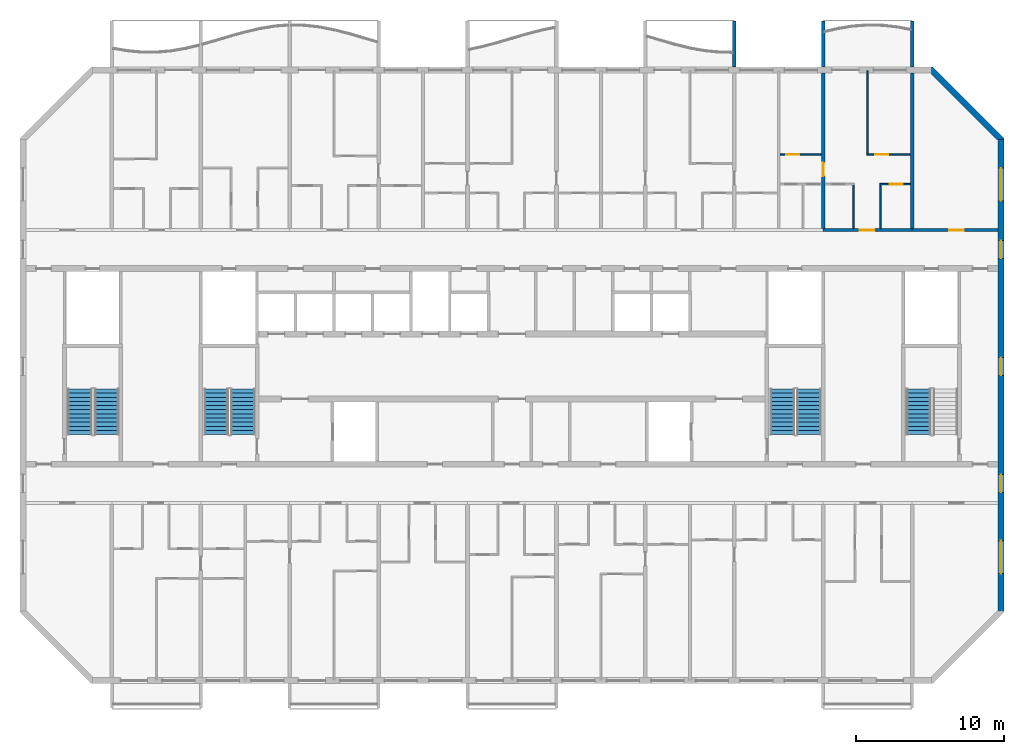
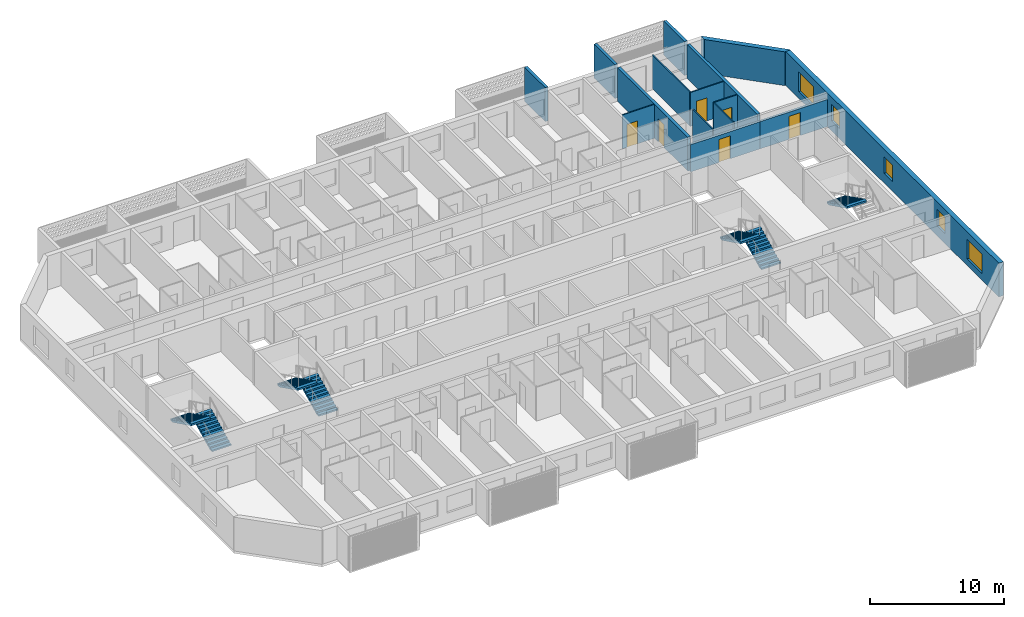
# One storey, part 11 of 27: 15 walls, 7 stair flights, 6 doors, 5 windows, 11 openings, 4 elements without a shape of their own.
"""IFC4 building model written with IfcOpenShell, lengths in metres."""

from ifc_helpers import new_model, si_unit, direction, frame, frame_2d, origin, place, context, subcontext, project, spatial, polyline, rectangle, outline, extrude, source, transform, mapped, material, layer, layer_set, type_object, element, fill, aggregate, save


model = new_model("IFC4")

# Units and contexts
model_context = context("Model", 3, precision=1e-05, world=origin(), true_north=direction((0.0, 1.0)))
body_context = subcontext(model_context, "Body", "Model", "MODEL_VIEW")
ifc_project = project(units=[si_unit("LENGTHUNIT", "METRE"), si_unit("AREAUNIT", "SQUARE_METRE"), si_unit("VOLUMEUNIT", "CUBIC_METRE"), si_unit("PLANEANGLEUNIT", "RADIAN"), si_unit("MASSUNIT", "GRAM", prefix="KILO")], contexts=[model_context])

# Site, building, storey
site_placement = place(None, origin())
site = spatial("IfcSite", under=ifc_project, at=site_placement, CompositionType="ELEMENT")
building_placement = place(site_placement, origin())
building = spatial("IfcBuilding", under=site, at=building_placement, Name="Poui Terraces", CompositionType="ELEMENT")
storey_placement = place(building_placement, frame((0.0, 0.0, 204.89990234375)))
storey = spatial("IfcBuildingStorey", under=building, at=storey_placement, Name="L57", CompositionType="ELEMENT", Elevation=204.89990234375)

# Wall, opening, door
ifc_material_1 = material(Name="Concrete 50 MPa", Category="concrete")
ifc_layer_1 = layer(ifc_material_1, 0.199951171875)
ifc_layer_set_1 = layer_set([ifc_layer_1], Name="Concrete 50 MPa")
wall_type_1 = type_object("IfcWallType", Name="CORRIDOR WALL 200 50MPa", PredefinedType="SHEAR", material=ifc_layer_set_1)
wall_1_placement = place(storey_placement, frame((72.0, 30.39990234375, 0.0), z_axis=(0.0, 0.0, 1.0), x_axis=(1.0, 0.0, 0.0)))
wall_1 = element("IfcWall", 1, at=wall_1_placement, inside=storey, type_object=wall_type_1, Name="CORRIDOR WALL LINE E BAY 10", PredefinedType="SHEAR", context=body_context, shape_type="SweptSolid", body=[
    extrude(rectangle(XDim=6.0, YDim=0.199951171875, at=frame_2d((3.0, 0.0))), origin(), (0.0, 0.0, 1.0), 2.47998046875),
])
opening_1_placement = place(wall_1_placement, frame((2.449951171875, 0.0, 0.0)))
opening_1 = element("IfcOpeningElement", 2, at=opening_1_placement, cuts=wall_1, Name="Opening FD30S", PredefinedType="OPENING", context=body_context, shape_type="SweptSolid", body=[
    extrude(rectangle(XDim=1.0, YDim=2.10009765625, at=frame_2d((0.5, 1.050048828125))), frame((0.0, 0.10986328125, 0.0), z_axis=(0.0, -1.0, 0.0), x_axis=(1.0, 0.0, 0.0)), (0.0, 0.0, 1.0), 0.219970703125),
])
ifc_material_2 = material(Name="Steel fire door", Category="steel")
door_type_1 = type_object("IfcDoorType", Name="FLAT ENTRANCE DOOR 1000 X 2100", OperationType="NOTDEFINED", PredefinedType="DOOR", material=ifc_material_2)
door_1_placement = place(opening_1_placement, origin())
door_1 = element("IfcDoor", 3, at=door_1_placement, inside=storey, type_object=door_type_1, Name="FLAT ENTRANCE DOOR 062", OperationType="SINGLE_SWING_LEFT", OverallHeight=2.10009765625, OverallWidth=1.0, PredefinedType="DOOR", context=body_context, shape_type="SweptSolid", body=[
    extrude(rectangle(XDim=1.0, YDim=2.10009765625, at=frame_2d((0.5, 1.050048828125))), frame((0.0, 0.02490234375, 0.0), z_axis=(0.0, -1.0, 0.0), x_axis=(1.0, 0.0, 0.0)), (0.0, 0.0, 1.0), 0.050048828125),
])
fill(opening_1, door_1)

wall_2_placement = place(storey_placement, frame((78.0, 30.39990234375, 0.0), z_axis=(0.0, 0.0, 1.0), x_axis=(1.0, 0.0, 0.0)))
wall_2 = element("IfcWall", 4, at=wall_2_placement, inside=storey, type_object=wall_type_1, Name="CORRIDOR WALL LINE E BAY 11", PredefinedType="SHEAR", context=body_context, shape_type="SweptSolid", body=[
    extrude(rectangle(XDim=5.800048828125, YDim=0.199951171875, at=frame_2d((2.89990234375, 0.0))), origin(), (0.0, 0.0, 1.0), 2.47998046875),
])
opening_2_placement = place(wall_2_placement, frame((2.5, 0.0, 0.0)))
opening_2 = element("IfcOpeningElement", 5, at=opening_2_placement, cuts=wall_2, Name="Opening D100", PredefinedType="OPENING", context=body_context, shape_type="SweptSolid", body=[
    extrude(rectangle(XDim=1.0, YDim=2.10009765625, at=frame_2d((0.5, 1.050048828125))), frame((0.0, 0.10986328125, 0.0), z_axis=(0.0, -1.0, 0.0), x_axis=(1.0, 0.0, 0.0)), (0.0, 0.0, 1.0), 0.219970703125),
])
ifc_material_3 = material(Name="Solid core timber door", Category="wood")
door_type_2 = type_object("IfcDoorType", Name="ACCESSIBLE INTERNAL DOOR 1000 X 2100", OperationType="NOTDEFINED", PredefinedType="DOOR", material=ifc_material_3)
door_2_placement = place(opening_2_placement, origin())
door_2 = element("IfcDoor", 6, at=door_2_placement, inside=storey, type_object=door_type_2, Name="ACCESSIBLE INTERNAL DOOR 065", OperationType="SINGLE_SWING_LEFT", OverallHeight=2.10009765625, OverallWidth=1.0, PredefinedType="DOOR", context=body_context, shape_type="SweptSolid", body=[
    extrude(rectangle(XDim=1.0, YDim=2.10009765625, at=frame_2d((0.5, 1.050048828125))), frame((0.0, 0.02490234375, 0.0), z_axis=(0.0, -1.0, 0.0), x_axis=(1.0, 0.0, 0.0)), (0.0, 0.0, 1.0), 0.050048828125),
])
fill(opening_2, door_2)

ifc_layer_2 = layer(ifc_material_1, 0.25)
ifc_layer_set_2 = layer_set([ifc_layer_2], Name="Concrete 50 MPa")
wall_type_2 = type_object("IfcWallType", Name="CROSS WALL 250 50MPa", PredefinedType="SHEAR", material=ifc_layer_set_2)
wall_3_placement = place(storey_placement, frame((72.0, 30.5, 0.0), z_axis=(0.0, 0.0, 1.0), x_axis=(0.0, 1.0, 0.0)))
wall_3 = element("IfcWall", 7, at=wall_3_placement, inside=storey, type_object=wall_type_2, Name="CROSS WALL LINE 13 NORTH", PredefinedType="SHEAR", context=body_context, shape_type="SweptSolid", body=[
    extrude(rectangle(XDim=10.5, YDim=0.25, at=frame_2d((5.25, 0.0))), origin(), (0.0, 0.0, 1.0), 3.080078125),
])
opening_3_placement = place(wall_3_placement, frame((3.550048828125, 0.0, 0.0)))
opening_3 = element("IfcOpeningElement", 8, at=opening_3_placement, cuts=wall_3, Name="Opening D90", PredefinedType="OPENING", context=body_context, shape_type="SweptSolid", body=[
    extrude(rectangle(XDim=0.89990234375, YDim=2.10009765625, at=frame_2d((0.449951171875, 1.050048828125))), frame((0.0, 0.135009765625, 0.0), z_axis=(0.0, -1.0, 0.0), x_axis=(1.0, 0.0, 0.0)), (0.0, 0.0, 1.0), 0.27001953125),
])
door_type_3 = type_object("IfcDoorType", Name="INTERNAL DOOR 900 X 2100", OperationType="NOTDEFINED", PredefinedType="DOOR", material=ifc_material_3)
door_3_placement = place(opening_3_placement, frame((0.89990234375, 0.0, 0.0), z_axis=(0.0, 0.0, 1.0), x_axis=(-1.0, 0.0, 0.0)))
door_3 = element("IfcDoor", 9, at=door_3_placement, inside=storey, type_object=door_type_3, Name="INTERNAL DOOR 060", OperationType="SINGLE_SWING_RIGHT", OverallHeight=2.10009765625, OverallWidth=0.89990234375, PredefinedType="DOOR", context=body_context, shape_type="SweptSolid", body=[
    extrude(rectangle(XDim=0.89990234375, YDim=2.10009765625, at=frame_2d((0.449951171875, 1.050048828125))), frame((0.0, 0.02490234375, 0.0), z_axis=(0.0, -1.0, 0.0), x_axis=(1.0, 0.0, 0.0)), (0.0, 0.0, 1.0), 0.050048828125),
])
fill(opening_3, door_3)

# Wall
wall_4_placement = place(storey_placement, frame((78.0, 30.5, 0.0), z_axis=(0.0, 0.0, 1.0), x_axis=(0.0, 1.0, 0.0)))
element("IfcWall", 10, at=wall_4_placement, inside=storey, type_object=wall_type_2, Name="CROSS WALL LINE 14 NORTH", PredefinedType="SHEAR", context=body_context, shape_type="SweptSolid", body=[
    extrude(rectangle(XDim=10.5, YDim=0.25, at=frame_2d((5.25, 0.0))), origin(), (0.0, 0.0, 1.0), 3.080078125),
])

# Wall, openings, windows
ifc_layer_3 = layer(ifc_material_1, 0.39990234375)
ifc_layer_set_3 = layer_set([ifc_layer_3], Name="Concrete 50 MPa")
wall_type_3 = type_object("IfcWallType", Name="END WALL 400 50MPa", PredefinedType="SHEAR", material=ifc_layer_set_3)
wall_5_placement = place(storey_placement, frame((84.0, 4.682861328125, 0.0), z_axis=(0.0, 0.0, 1.0), x_axis=(0.0, 1.0, 0.0)))
wall_5 = element("IfcWall", 11, at=wall_5_placement, inside=storey, type_object=wall_type_3, Name="END WALL EAST", PredefinedType="SHEAR", context=body_context, shape_type="SweptSolid", body=[
    extrude(rectangle(XDim=31.834228515625, YDim=0.39990234375, at=frame_2d((15.9169921875, 0.0))), origin(), (0.0, 0.0, 1.0), 3.080078125),
])
opening_4_placement = place(wall_5_placement, frame((23.817138671875, 0.0, 0.89990234375)))
opening_4 = element("IfcOpeningElement", 12, at=opening_4_placement, cuts=wall_5, Name="Opening W2", PredefinedType="OPENING", context=body_context, shape_type="SweptSolid", body=[
    extrude(rectangle(XDim=1.199951171875, YDim=1.5, at=frame_2d((0.60009765625, 0.75))), frame((0.0, 0.2099609375, 0.0), z_axis=(0.0, -1.0, 0.0), x_axis=(1.0, 0.0, 0.0)), (0.0, 0.0, 1.0), 0.419921875),
])
opening_5_placement = place(wall_5_placement, frame((8.01708984375, 0.0, 0.89990234375)))
opening_5 = element("IfcOpeningElement", 13, at=opening_5_placement, cuts=wall_5, Name="Opening W2", PredefinedType="OPENING", context=body_context, shape_type="SweptSolid", body=[
    extrude(rectangle(XDim=1.199951171875, YDim=1.5, at=frame_2d((0.60009765625, 0.75))), frame((0.0, 0.2099609375, 0.0), z_axis=(0.0, -1.0, 0.0), x_axis=(1.0, 0.0, 0.0)), (0.0, 0.0, 1.0), 0.419921875),
])
opening_6_placement = place(wall_5_placement, frame((27.693603515625, 0.0, 0.60009765625)))
opening_6 = element("IfcOpeningElement", 14, at=opening_6_placement, cuts=wall_5, Name="Opening W3", PredefinedType="OPENING", context=body_context, shape_type="SweptSolid", body=[
    extrude(rectangle(XDim=2.199951171875, YDim=1.800048828125, at=frame_2d((1.10009765625, 0.89990234375))), frame((0.0, 0.2099609375, 0.0), z_axis=(0.0, -1.0, 0.0), x_axis=(1.0, 0.0, 0.0)), (0.0, 0.0, 1.0), 0.419921875),
])
opening_7_placement = place(wall_5_placement, frame((2.541015625, 0.0, 0.60009765625)))
opening_7 = element("IfcOpeningElement", 15, at=opening_7_placement, cuts=wall_5, Name="Opening W3", PredefinedType="OPENING", context=body_context, shape_type="SweptSolid", body=[
    extrude(rectangle(XDim=2.199951171875, YDim=1.800048828125, at=frame_2d((1.10009765625, 0.89990234375))), frame((0.0, 0.2099609375, 0.0), z_axis=(0.0, -1.0, 0.0), x_axis=(1.0, 0.0, 0.0)), (0.0, 0.0, 1.0), 0.419921875),
])
opening_8_placement = place(wall_5_placement, frame((15.917236328125, 0.0, 0.89990234375)))
opening_8 = element("IfcOpeningElement", 16, at=opening_8_placement, cuts=wall_5, Name="Opening W2", PredefinedType="OPENING", context=body_context, shape_type="SweptSolid", body=[
    extrude(rectangle(XDim=1.199951171875, YDim=1.5, at=frame_2d((0.60009765625, 0.75))), frame((0.0, 0.2099609375, 0.0), z_axis=(0.0, -1.0, 0.0), x_axis=(1.0, 0.0, 0.0)), (0.0, 0.0, 1.0), 0.419921875),
])
ifc_material_4 = material(Name="Clear glass in aluminium frame", Category="aluminium")
window_type_1 = type_object("IfcWindowType", Name="WINDOW 1200X1500", PartitioningType="SINGLE_PANEL", PredefinedType="WINDOW", material=ifc_material_4)
window_1_placement = place(opening_4_placement, origin())
window_1 = element("IfcWindow", 17, at=window_1_placement, inside=storey, type_object=window_type_1, Name="W2 WINDOW", OverallHeight=1.5, OverallWidth=1.199951171875, PartitioningType="SINGLE_PANEL", PredefinedType="WINDOW", context=body_context, shape_type="SweptSolid", body=[
    extrude(rectangle(XDim=1.199951171875, YDim=1.5, at=frame_2d((0.60009765625, 0.75))), frame((0.0, 0.030029296875, 0.0), z_axis=(0.0, -1.0, 0.0), x_axis=(1.0, 0.0, 0.0)), (0.0, 0.0, 1.0), 0.06005859375),
])
fill(opening_4, window_1)
window_2_placement = place(opening_5_placement, origin())
window_2 = element("IfcWindow", 18, at=window_2_placement, inside=storey, type_object=window_type_1, Name="W2 WINDOW", OverallHeight=1.5, OverallWidth=1.199951171875, PartitioningType="SINGLE_PANEL", PredefinedType="WINDOW", context=body_context, shape_type="SweptSolid", body=[
    extrude(rectangle(XDim=1.199951171875, YDim=1.5, at=frame_2d((0.60009765625, 0.75))), frame((0.0, 0.030029296875, 0.0), z_axis=(0.0, -1.0, 0.0), x_axis=(1.0, 0.0, 0.0)), (0.0, 0.0, 1.0), 0.06005859375),
])
fill(opening_5, window_2)
window_3_placement = place(opening_8_placement, origin())
window_3 = element("IfcWindow", 19, at=window_3_placement, inside=storey, type_object=window_type_1, Name="W2 WINDOW", OverallHeight=1.5, OverallWidth=1.199951171875, PartitioningType="SINGLE_PANEL", PredefinedType="WINDOW", context=body_context, shape_type="SweptSolid", body=[
    extrude(rectangle(XDim=1.199951171875, YDim=1.5, at=frame_2d((0.60009765625, 0.75))), frame((0.0, 0.030029296875, 0.0), z_axis=(0.0, -1.0, 0.0), x_axis=(1.0, 0.0, 0.0)), (0.0, 0.0, 1.0), 0.06005859375),
])
fill(opening_8, window_3)
window_type_2 = type_object("IfcWindowType", Name="WINDOW 2200X1800", PartitioningType="DOUBLE_PANEL_HORIZONTAL", PredefinedType="WINDOW", material=ifc_material_4)
window_4_placement = place(opening_6_placement, origin())
window_4 = element("IfcWindow", 20, at=window_4_placement, inside=storey, type_object=window_type_2, Name="W3 WINDOW", OverallHeight=1.800048828125, OverallWidth=2.199951171875, PartitioningType="DOUBLE_PANEL_HORIZONTAL", PredefinedType="WINDOW", context=body_context, shape_type="SweptSolid", body=[
    extrude(rectangle(XDim=2.199951171875, YDim=1.800048828125, at=frame_2d((1.10009765625, 0.89990234375))), frame((0.0, 0.030029296875, 0.0), z_axis=(0.0, -1.0, 0.0), x_axis=(1.0, 0.0, 0.0)), (0.0, 0.0, 1.0), 0.06005859375),
])
fill(opening_6, window_4)
window_5_placement = place(opening_7_placement, origin())
window_5 = element("IfcWindow", 21, at=window_5_placement, inside=storey, type_object=window_type_2, Name="W3 WINDOW", OverallHeight=1.800048828125, OverallWidth=2.199951171875, PartitioningType="DOUBLE_PANEL_HORIZONTAL", PredefinedType="WINDOW", context=body_context, shape_type="SweptSolid", body=[
    extrude(rectangle(XDim=2.199951171875, YDim=1.800048828125, at=frame_2d((1.10009765625, 0.89990234375))), frame((0.0, 0.030029296875, 0.0), z_axis=(0.0, -1.0, 0.0), x_axis=(1.0, 0.0, 0.0)), (0.0, 0.0, 1.0), 0.06005859375),
])
fill(opening_7, window_5)

# Wall, opening, door
ifc_material_5 = material(Name="Plasterboard partition")
ifc_layer_4 = layer(ifc_material_5, 0.10009765625)
ifc_layer_set_4 = layer_set([ifc_layer_4], Name="Plasterboard partition")
wall_type_4 = type_object("IfcWallType", Name="FLAT PARTITION 100", PredefinedType="PARTITIONING", material=ifc_layer_set_4)
wall_6_placement = place(storey_placement, frame((75.800048828125, 33.5, 0.0), z_axis=(0.0, 0.0, 1.0), x_axis=(1.0, 0.0, 0.0)))
wall_6 = element("IfcWall", 22, at=wall_6_placement, inside=storey, type_object=wall_type_4, Name="FLAT PARTITION 100", PredefinedType="PARTITIONING", context=body_context, shape_type="SweptSolid", body=[
    extrude(rectangle(XDim=2.06494140625, YDim=0.10009765625, at=frame_2d((1.032470703125, 0.0))), origin(), (0.0, 0.0, 1.0), 3.080078125),
])
opening_9_placement = place(wall_6_placement, frame((0.675048828125, 0.0, 0.0)))
opening_9 = element("IfcOpeningElement", 23, at=opening_9_placement, cuts=wall_6, Name="Opening D90", PredefinedType="OPENING", context=body_context, shape_type="SweptSolid", body=[
    extrude(rectangle(XDim=0.89990234375, YDim=2.10009765625, at=frame_2d((0.449951171875, 1.050048828125))), frame((0.0, 0.06005859375, 0.0), z_axis=(0.0, -1.0, 0.0), x_axis=(1.0, 0.0, 0.0)), (0.0, 0.0, 1.0), 0.1201171875),
])
door_4_placement = place(opening_9_placement, frame((0.89990234375, 0.0, 0.0), z_axis=(0.0, 0.0, 1.0), x_axis=(-1.0, 0.0, 0.0)))
door_4 = element("IfcDoor", 24, at=door_4_placement, inside=storey, type_object=door_type_3, Name="INTERNAL DOOR 064", OperationType="SINGLE_SWING_RIGHT", OverallHeight=2.10009765625, OverallWidth=0.89990234375, PredefinedType="DOOR", context=body_context, shape_type="SweptSolid", body=[
    extrude(rectangle(XDim=0.89990234375, YDim=2.10009765625, at=frame_2d((0.449951171875, 1.050048828125))), frame((0.0, 0.02490234375, 0.0), z_axis=(0.0, -1.0, 0.0), x_axis=(1.0, 0.0, 0.0)), (0.0, 0.0, 1.0), 0.050048828125),
])
fill(opening_9, door_4)

wall_7_placement = place(storey_placement, frame((69.10009765625, 35.5, 0.0), z_axis=(0.0, 0.0, 1.0), x_axis=(1.0, 0.0, 0.0)))
wall_7 = element("IfcWall", 25, at=wall_7_placement, inside=storey, type_object=wall_type_4, Name="FLAT PARTITION 100", PredefinedType="PARTITIONING", context=body_context, shape_type="SweptSolid", body=[
    extrude(rectangle(XDim=2.764892578125, YDim=0.10009765625, at=frame_2d((1.38232421875, 0.0))), origin(), (0.0, 0.0, 1.0), 3.080078125),
])
opening_10_placement = place(wall_7_placement, frame((0.39990234375, 0.0, 0.0)))
opening_10 = element("IfcOpeningElement", 26, at=opening_10_placement, cuts=wall_7, Name="Opening D90", PredefinedType="OPENING", context=body_context, shape_type="SweptSolid", body=[
    extrude(rectangle(XDim=0.89990234375, YDim=2.10009765625, at=frame_2d((0.449951171875, 1.050048828125))), frame((0.0, 0.06005859375, 0.0), z_axis=(0.0, -1.0, 0.0), x_axis=(1.0, 0.0, 0.0)), (0.0, 0.0, 1.0), 0.1201171875),
])
door_5_placement = place(opening_10_placement, origin())
door_5 = element("IfcDoor", 27, at=door_5_placement, inside=storey, type_object=door_type_3, Name="INTERNAL DOOR 058", OperationType="SINGLE_SWING_LEFT", OverallHeight=2.10009765625, OverallWidth=0.89990234375, PredefinedType="DOOR", context=body_context, shape_type="SweptSolid", body=[
    extrude(rectangle(XDim=0.89990234375, YDim=2.10009765625, at=frame_2d((0.449951171875, 1.050048828125))), frame((0.0, 0.02490234375, 0.0), z_axis=(0.0, -1.0, 0.0), x_axis=(1.0, 0.0, 0.0)), (0.0, 0.0, 1.0), 0.050048828125),
])
fill(opening_10, door_5)

wall_8_placement = place(storey_placement, frame((74.949951171875, 35.5, 0.0), z_axis=(0.0, 0.0, 1.0), x_axis=(1.0, 0.0, 0.0)))
wall_8 = element("IfcWall", 28, at=wall_8_placement, inside=storey, type_object=wall_type_4, Name="FLAT PARTITION 100", PredefinedType="PARTITIONING", context=body_context, shape_type="SweptSolid", body=[
    extrude(rectangle(XDim=2.9150390625, YDim=0.10009765625, at=frame_2d((1.45751953125, 0.0))), origin(), (0.0, 0.0, 1.0), 3.080078125),
])
opening_11_placement = place(wall_8_placement, frame((0.550048828125, 0.0, 0.0)))
opening_11 = element("IfcOpeningElement", 29, at=opening_11_placement, cuts=wall_8, Name="Opening D90", PredefinedType="OPENING", context=body_context, shape_type="SweptSolid", body=[
    extrude(rectangle(XDim=0.89990234375, YDim=2.10009765625, at=frame_2d((0.449951171875, 1.050048828125))), frame((0.0, 0.06005859375, 0.0), z_axis=(0.0, -1.0, 0.0), x_axis=(1.0, 0.0, 0.0)), (0.0, 0.0, 1.0), 0.1201171875),
])
door_6_placement = place(opening_11_placement, frame((0.89990234375, 0.0, 0.0), z_axis=(0.0, 0.0, 1.0), x_axis=(-1.0, 0.0, 0.0)))
door_6 = element("IfcDoor", 30, at=door_6_placement, inside=storey, type_object=door_type_3, Name="INTERNAL DOOR 063", OperationType="SINGLE_SWING_LEFT", OverallHeight=2.10009765625, OverallWidth=0.89990234375, PredefinedType="DOOR", context=body_context, shape_type="SweptSolid", body=[
    extrude(rectangle(XDim=0.89990234375, YDim=2.10009765625, at=frame_2d((0.449951171875, 1.050048828125))), frame((0.0, 0.02490234375, 0.0), z_axis=(0.0, -1.0, 0.0), x_axis=(1.0, 0.0, 0.0)), (0.0, 0.0, 1.0), 0.050048828125),
])
fill(opening_11, door_6)

# Walls
wall_9_placement = place(storey_placement, frame((74.050048828125, 30.510009765625, 0.0), z_axis=(0.0, 0.0, 1.0), x_axis=(0.0, 1.0, 0.0)))
element("IfcWall", 31, at=wall_9_placement, inside=storey, type_object=wall_type_4, Name="FLAT PARTITION 100", PredefinedType="PARTITIONING", context=body_context, shape_type="SweptSolid", body=[
    extrude(rectangle(XDim=2.93994140625, YDim=0.10009765625, at=frame_2d((1.469970703125, 0.0))), origin(), (0.0, 0.0, 1.0), 3.080078125),
])
wall_10_placement = place(storey_placement, frame((75.0, 35.550048828125, 0.0), z_axis=(0.0, 0.0, 1.0), x_axis=(0.0, 1.0, 0.0)))
element("IfcWall", 32, at=wall_10_placement, inside=storey, type_object=wall_type_4, Name="FLAT PARTITION 100", PredefinedType="PARTITIONING", context=body_context, shape_type="SweptSolid", body=[
    extrude(rectangle(XDim=5.58984375, YDim=0.10009765625, at=frame_2d((2.794921875, 0.0))), origin(), (0.0, 0.0, 1.0), 3.080078125),
])
wall_11_placement = place(storey_placement, frame((75.85009765625, 30.510009765625, 0.0), z_axis=(0.0, 0.0, 1.0), x_axis=(0.0, 1.0, 0.0)))
element("IfcWall", 33, at=wall_11_placement, inside=storey, type_object=wall_type_4, Name="FLAT PARTITION 100", PredefinedType="PARTITIONING", context=body_context, shape_type="SweptSolid", body=[
    extrude(rectangle(XDim=2.93994140625, YDim=0.10009765625, at=frame_2d((1.469970703125, 0.0))), origin(), (0.0, 0.0, 1.0), 3.080078125),
])
ifc_material_6 = material(Name="Precast concrete 40 MPa", Category="concrete")
ifc_layer_5 = layer(ifc_material_6, 0.39990234375)
ifc_layer_set_5 = layer_set([ifc_layer_5], Name="Precast concrete 40 MPa")
wall_type_5 = type_object("IfcWallType", Name="TERRACOTTA CLAD CHAMFER WALL 400", PredefinedType="STANDARD", material=ifc_layer_set_5)
wall_12_placement = place(storey_placement, origin())
element("IfcWall", 34, at=wall_12_placement, inside=storey, type_object=wall_type_5, Name="CHAMFER WALL CH03", PredefinedType="STANDARD", context=body_context, shape_type="SweptSolid", body=[
    extrude(outline(polyline([(84.199951171875, 36.51708984375), (84.199951171875, 36.60009765625), (79.39990234375, 41.39990234375), (79.317138671875, 41.39990234375), (79.317138671875, 40.917236328125), (83.71728515625, 36.51708984375), (84.199951171875, 36.51708984375)])), origin(), (0.0, 0.0, 1.0), 3.080078125),
])
ifc_layer_6 = layer(ifc_material_6, 0.25)
ifc_layer_set_6 = layer_set([ifc_layer_6], Name="Precast concrete 40 MPa")
wall_type_6 = type_object("IfcWallType", Name="BALCONY FIN 250", PredefinedType="STANDARD", material=ifc_layer_set_6)
shared_shape = source(origin(), body_context, "Body", "SweptSolid", [
    extrude(outline(polyline([(0.0, 0.0), (0.25, 0.0), (0.25, 3.10009765625), (0.0, 3.10009765625), (0.0, 0.0)])), origin(), (0.0, 0.0, 1.0), 3.10009765625),
])
for number, where, name in (
    (35, (65.875, 41.39990234375, 0.0), "BALCONY FIN"),
    (36, (71.875, 41.39990234375, 0.0), "BALCONY FIN"),
    (37, (77.875, 41.39990234375, 0.0), "BALCONY FIN"),
):
    element("IfcWall", number, at=place(storey_placement, frame(where)), inside=storey, type_object=wall_type_6, Name=name, PredefinedType="STANDARD", context=body_context, shape_type="MappedRepresentation", body=[
        mapped(shared_shape, transform((0.0, 0.0, 0.0))),
    ])

# Stair, stair flights
stair_type = type_object("IfcStairType", Name="EXIT STAIR 1650 50 MPA", PredefinedType="HALF_TURN_STAIR", material=ifc_material_1)
stair_1_placement = place(storey_placement, origin())
stair_1 = element("IfcStair", 38, at=stair_1_placement, inside=storey, type_object=stair_type, Name="L57 CORE STAIR EAST", PredefinedType="HALF_TURN_STAIR")
ifc_layer_7 = layer(ifc_material_1, 0.14990234375)
ifc_layer_set_7 = layer_set([ifc_layer_7], Name="Concrete 50 MPa")
stair_flight_type = type_object("IfcStairFlightType", Name="STAIR FLIGHT 12 RISERS 138 RISE 50 MPA", PredefinedType="STRAIGHT", material=ifc_layer_set_7)
stair_flight_1_placement = place(storey_placement, frame((71.050048828125, 16.60009765625, 0.0), z_axis=(0.0, 0.0, 1.0), x_axis=(0.0, 1.0, 0.0)))
stair_flight_1 = element("IfcStairFlight", 39, at=stair_flight_1_placement, type_object=stair_flight_type, Name="ST-CE flight 1", NumberOfRisers=12, NumberOfTreads=11, PredefinedType="STRAIGHT", RiserHeight=0.1375, TreadLength=0.28, context=body_context, shape_type="SweptSolid", body=[
    extrude(outline(polyline([(0.0, 0.0), (0.0, 0.137451171875), (0.280029296875, 0.137451171875), (0.280029296875, 0.27490234375), (0.56005859375, 0.27490234375), (0.56005859375, 0.41259765625), (0.840087890625, 0.41259765625), (0.840087890625, 0.550048828125), (1.1201171875, 0.550048828125), (1.1201171875, 0.6875), (1.39990234375, 0.6875), (1.39990234375, 0.824951171875), (1.679931640625, 0.824951171875), (1.679931640625, 0.96240234375), (1.9599609375, 0.96240234375), (1.9599609375, 1.10009765625), (2.239990234375, 1.10009765625), (2.239990234375, 1.237548828125), (2.52001953125, 1.237548828125), (2.52001953125, 1.375), (2.800048828125, 1.375), (2.800048828125, 1.512451171875), (3.080078125, 1.512451171875), (3.080078125, 1.64990234375), (3.080078125, 1.345458984375), (0.340087890625, 0.0), (0.0, 0.0)])), frame((0.0, 0.824951171875, 0.0), z_axis=(0.0, -1.0, 0.0), x_axis=(1.0, 0.0, 0.0)), (0.0, 0.0, 1.0), 1.64990234375),
])
stair_flight_2_placement = place(storey_placement, frame((69.25, 19.679931640625, 1.650146484375), z_axis=(0.0, 0.0, 1.0), x_axis=(0.0, -1.0, 0.0)))
stair_flight_2 = element("IfcStairFlight", 40, at=stair_flight_2_placement, type_object=stair_flight_type, Name="ST-CE flight 2", NumberOfRisers=12, NumberOfTreads=11, PredefinedType="STRAIGHT", RiserHeight=0.1375, TreadLength=0.28, context=body_context, shape_type="SweptSolid", body=[
    extrude(outline(polyline([(0.0, 0.0), (0.0, 0.137451171875), (0.280029296875, 0.137451171875), (0.280029296875, 0.27490234375), (0.56005859375, 0.27490234375), (0.56005859375, 0.41259765625), (0.840087890625, 0.41259765625), (0.840087890625, 0.550048828125), (1.1201171875, 0.550048828125), (1.1201171875, 0.6875), (1.39990234375, 0.6875), (1.39990234375, 0.824951171875), (1.679931640625, 0.824951171875), (1.679931640625, 0.96240234375), (1.9599609375, 0.96240234375), (1.9599609375, 1.10009765625), (2.239990234375, 1.10009765625), (2.239990234375, 1.237548828125), (2.52001953125, 1.237548828125), (2.52001953125, 1.375), (2.800048828125, 1.375), (2.800048828125, 1.512451171875), (3.080078125, 1.512451171875), (3.080078125, 1.64990234375), (3.080078125, 1.345458984375), (0.340087890625, 0.0), (0.0, 0.0)])), frame((0.0, 0.824951171875, 0.0), z_axis=(0.0, -1.0, 0.0), x_axis=(1.0, 0.0, 0.0)), (0.0, 0.0, 1.0), 1.64990234375),
])
aggregate(stair_1, [stair_flight_1, stair_flight_2])

stair_2_placement = place(storey_placement, origin())
stair_2 = element("IfcStair", 41, at=stair_2_placement, inside=storey, type_object=stair_type, Name="L57 CORE STAIR WEST", PredefinedType="HALF_TURN_STAIR")
stair_flight_3_placement = place(storey_placement, frame((32.85009765625, 16.60009765625, 0.0), z_axis=(0.0, 0.0, 1.0), x_axis=(0.0, 1.0, 0.0)))
stair_flight_3 = element("IfcStairFlight", 42, at=stair_flight_3_placement, type_object=stair_flight_type, Name="ST-CW flight 1", NumberOfRisers=12, NumberOfTreads=11, PredefinedType="STRAIGHT", RiserHeight=0.1375, TreadLength=0.28, context=body_context, shape_type="SweptSolid", body=[
    extrude(outline(polyline([(0.0, 0.0), (0.0, 0.137451171875), (0.280029296875, 0.137451171875), (0.280029296875, 0.27490234375), (0.56005859375, 0.27490234375), (0.56005859375, 0.41259765625), (0.840087890625, 0.41259765625), (0.840087890625, 0.550048828125), (1.1201171875, 0.550048828125), (1.1201171875, 0.6875), (1.39990234375, 0.6875), (1.39990234375, 0.824951171875), (1.679931640625, 0.824951171875), (1.679931640625, 0.96240234375), (1.9599609375, 0.96240234375), (1.9599609375, 1.10009765625), (2.239990234375, 1.10009765625), (2.239990234375, 1.237548828125), (2.52001953125, 1.237548828125), (2.52001953125, 1.375), (2.800048828125, 1.375), (2.800048828125, 1.512451171875), (3.080078125, 1.512451171875), (3.080078125, 1.64990234375), (3.080078125, 1.345458984375), (0.340087890625, 0.0), (0.0, 0.0)])), frame((0.0, 0.824951171875, 0.0), z_axis=(0.0, -1.0, 0.0), x_axis=(1.0, 0.0, 0.0)), (0.0, 0.0, 1.0), 1.64990234375),
])
stair_flight_4_placement = place(storey_placement, frame((31.050048828125, 19.679931640625, 1.650146484375), z_axis=(0.0, 0.0, 1.0), x_axis=(0.0, -1.0, 0.0)))
stair_flight_4 = element("IfcStairFlight", 43, at=stair_flight_4_placement, type_object=stair_flight_type, Name="ST-CW flight 2", NumberOfRisers=12, NumberOfTreads=11, PredefinedType="STRAIGHT", RiserHeight=0.1375, TreadLength=0.28, context=body_context, shape_type="SweptSolid", body=[
    extrude(outline(polyline([(0.0, 0.0), (0.0, 0.137451171875), (0.280029296875, 0.137451171875), (0.280029296875, 0.27490234375), (0.56005859375, 0.27490234375), (0.56005859375, 0.41259765625), (0.840087890625, 0.41259765625), (0.840087890625, 0.550048828125), (1.1201171875, 0.550048828125), (1.1201171875, 0.6875), (1.39990234375, 0.6875), (1.39990234375, 0.824951171875), (1.679931640625, 0.824951171875), (1.679931640625, 0.96240234375), (1.9599609375, 0.96240234375), (1.9599609375, 1.10009765625), (2.239990234375, 1.10009765625), (2.239990234375, 1.237548828125), (2.52001953125, 1.237548828125), (2.52001953125, 1.375), (2.800048828125, 1.375), (2.800048828125, 1.512451171875), (3.080078125, 1.512451171875), (3.080078125, 1.64990234375), (3.080078125, 1.345458984375), (0.340087890625, 0.0), (0.0, 0.0)])), frame((0.0, 0.824951171875, 0.0), z_axis=(0.0, -1.0, 0.0), x_axis=(1.0, 0.0, 0.0)), (0.0, 0.0, 1.0), 1.64990234375),
])
aggregate(stair_2, [stair_flight_3, stair_flight_4])

# Stair, stair flight
stair_3_placement = place(storey_placement, origin())
stair_3 = element("IfcStair", 44, at=stair_3_placement, inside=storey, type_object=stair_type, Name="L57 TIP STAIR EAST", PredefinedType="HALF_TURN_STAIR")
stair_flight_5_placement = place(storey_placement, frame((78.449951171875, 19.679931640625, 1.650146484375), z_axis=(0.0, 0.0, 1.0), x_axis=(0.0, -1.0, 0.0)))
stair_flight_5 = element("IfcStairFlight", 45, at=stair_flight_5_placement, type_object=stair_flight_type, Name="ST-E flight 2", NumberOfRisers=12, NumberOfTreads=11, PredefinedType="STRAIGHT", RiserHeight=0.1375, TreadLength=0.28, context=body_context, shape_type="SweptSolid", body=[
    extrude(outline(polyline([(0.0, 0.0), (0.0, 0.137451171875), (0.280029296875, 0.137451171875), (0.280029296875, 0.27490234375), (0.56005859375, 0.27490234375), (0.56005859375, 0.41259765625), (0.840087890625, 0.41259765625), (0.840087890625, 0.550048828125), (1.1201171875, 0.550048828125), (1.1201171875, 0.6875), (1.39990234375, 0.6875), (1.39990234375, 0.824951171875), (1.679931640625, 0.824951171875), (1.679931640625, 0.96240234375), (1.9599609375, 0.96240234375), (1.9599609375, 1.10009765625), (2.239990234375, 1.10009765625), (2.239990234375, 1.237548828125), (2.52001953125, 1.237548828125), (2.52001953125, 1.375), (2.800048828125, 1.375), (2.800048828125, 1.512451171875), (3.080078125, 1.512451171875), (3.080078125, 1.64990234375), (3.080078125, 1.345458984375), (0.340087890625, 0.0), (0.0, 0.0)])), frame((0.0, 0.824951171875, 0.0), z_axis=(0.0, -1.0, 0.0), x_axis=(1.0, 0.0, 0.0)), (0.0, 0.0, 1.0), 1.64990234375),
])
aggregate(stair_3, [stair_flight_5])

# Stair, stair flights
stair_4_placement = place(storey_placement, origin())
stair_4 = element("IfcStair", 46, at=stair_4_placement, inside=storey, type_object=stair_type, Name="L57 TIP STAIR WEST", PredefinedType="HALF_TURN_STAIR")
stair_flight_6_placement = place(storey_placement, frame((23.64990234375, 16.60009765625, 0.0), z_axis=(0.0, 0.0, 1.0), x_axis=(0.0, 1.0, 0.0)))
stair_flight_6 = element("IfcStairFlight", 47, at=stair_flight_6_placement, type_object=stair_flight_type, Name="ST-W flight 1", NumberOfRisers=12, NumberOfTreads=11, PredefinedType="STRAIGHT", RiserHeight=0.1375, TreadLength=0.28, context=body_context, shape_type="SweptSolid", body=[
    extrude(outline(polyline([(0.0, 0.0), (0.0, 0.137451171875), (0.280029296875, 0.137451171875), (0.280029296875, 0.27490234375), (0.56005859375, 0.27490234375), (0.56005859375, 0.41259765625), (0.840087890625, 0.41259765625), (0.840087890625, 0.550048828125), (1.1201171875, 0.550048828125), (1.1201171875, 0.6875), (1.39990234375, 0.6875), (1.39990234375, 0.824951171875), (1.679931640625, 0.824951171875), (1.679931640625, 0.96240234375), (1.9599609375, 0.96240234375), (1.9599609375, 1.10009765625), (2.239990234375, 1.10009765625), (2.239990234375, 1.237548828125), (2.52001953125, 1.237548828125), (2.52001953125, 1.375), (2.800048828125, 1.375), (2.800048828125, 1.512451171875), (3.080078125, 1.512451171875), (3.080078125, 1.64990234375), (3.080078125, 1.345458984375), (0.340087890625, 0.0), (0.0, 0.0)])), frame((0.0, 0.824951171875, 0.0), z_axis=(0.0, -1.0, 0.0), x_axis=(1.0, 0.0, 0.0)), (0.0, 0.0, 1.0), 1.64990234375),
])
stair_flight_7_placement = place(storey_placement, frame((21.85009765625, 19.679931640625, 1.650146484375), z_axis=(0.0, 0.0, 1.0), x_axis=(0.0, -1.0, 0.0)))
stair_flight_7 = element("IfcStairFlight", 48, at=stair_flight_7_placement, type_object=stair_flight_type, Name="ST-W flight 2", NumberOfRisers=12, NumberOfTreads=11, PredefinedType="STRAIGHT", RiserHeight=0.1375, TreadLength=0.28, context=body_context, shape_type="SweptSolid", body=[
    extrude(outline(polyline([(0.0, 0.0), (0.0, 0.137451171875), (0.280029296875, 0.137451171875), (0.280029296875, 0.27490234375), (0.56005859375, 0.27490234375), (0.56005859375, 0.41259765625), (0.840087890625, 0.41259765625), (0.840087890625, 0.550048828125), (1.1201171875, 0.550048828125), (1.1201171875, 0.6875), (1.39990234375, 0.6875), (1.39990234375, 0.824951171875), (1.679931640625, 0.824951171875), (1.679931640625, 0.96240234375), (1.9599609375, 0.96240234375), (1.9599609375, 1.10009765625), (2.239990234375, 1.10009765625), (2.239990234375, 1.237548828125), (2.52001953125, 1.237548828125), (2.52001953125, 1.375), (2.800048828125, 1.375), (2.800048828125, 1.512451171875), (3.080078125, 1.512451171875), (3.080078125, 1.64990234375), (3.080078125, 1.345458984375), (0.340087890625, 0.0), (0.0, 0.0)])), frame((0.0, 0.824951171875, 0.0), z_axis=(0.0, -1.0, 0.0), x_axis=(1.0, 0.0, 0.0)), (0.0, 0.0, 1.0), 1.64990234375),
])
aggregate(stair_4, [stair_flight_6, stair_flight_7])

save(model, "model.ifc")
